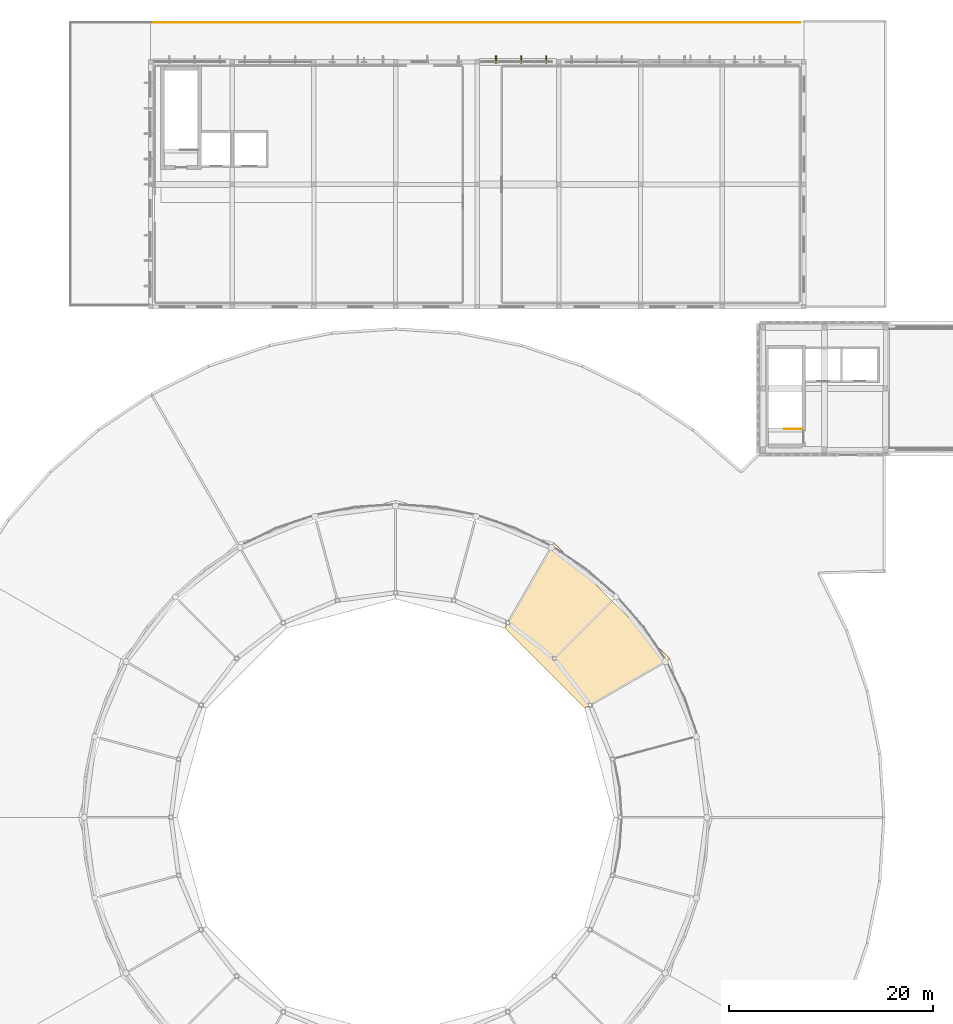
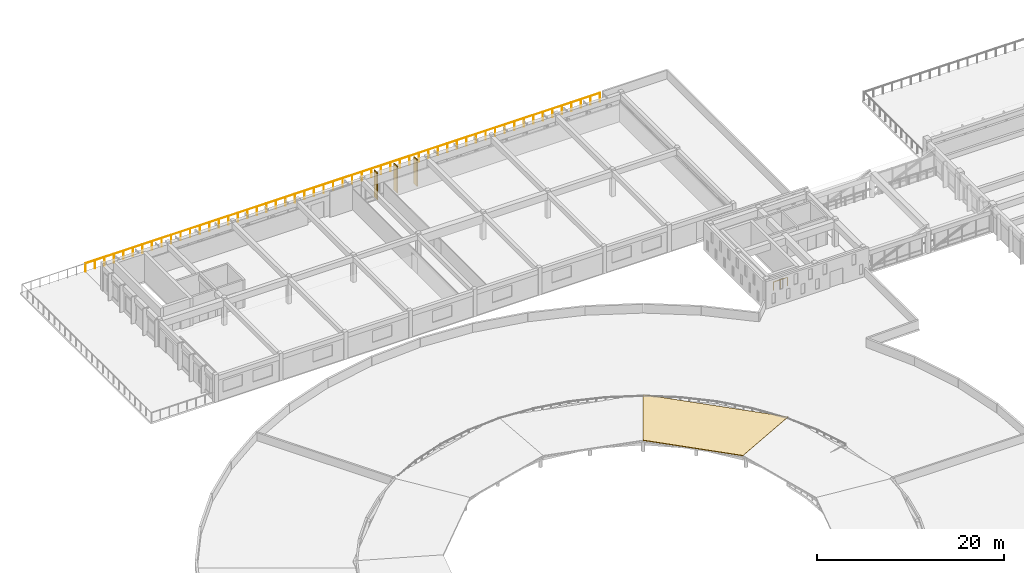
# One storey, part 69 of 77: 4 coverings, 2 railings.
"""IFC4 building model written with IfcOpenShell, lengths in metres."""

from ifc_helpers import new_model, si_unit, direction, frame, origin, origin_2d, place, context, subcontext, project, spatial, polyline, rectangle, circle, outline, extrude, material, layer, layer_set, type_object, element, save


model = new_model("IFC4")

# Units and contexts
model_context = context("Model", 3, precision=1e-05, world=origin(), true_north=direction((0.0, 1.0)))
body_context = subcontext(model_context, "Body", "Model", "MODEL_VIEW")
ifc_project = project(units=[si_unit("LENGTHUNIT", "METRE"), si_unit("AREAUNIT", "SQUARE_METRE"), si_unit("VOLUMEUNIT", "CUBIC_METRE"), si_unit("PLANEANGLEUNIT", "RADIAN"), si_unit("MASSUNIT", "GRAM", prefix="KILO")], contexts=[model_context])

# Site, building, storey
site_placement = place(None, origin())
site = spatial("IfcSite", under=ifc_project, at=site_placement, CompositionType="ELEMENT")
building_placement = place(site_placement, origin())
building = spatial("IfcBuilding", under=site, at=building_placement, Name="Larkveld Mobility Hub", CompositionType="ELEMENT")
storey_placement = place(building_placement, frame((0.0, 0.0, 12.0)))
storey = spatial("IfcBuildingStorey", under=building, at=storey_placement, Name="L03", CompositionType="ELEMENT", Elevation=12.0)

# Coverings
ifc_material_1 = material(Name="Precast concrete C50/60", Category="concrete")
ifc_layer_1 = layer(ifc_material_1, 0.1201171875, Name="Precast concrete C50/60", Category="concrete")
ifc_layer_set_1 = layer_set([ifc_layer_1], Name="Precast concrete C50/60")
covering_type_1 = type_object("IfcCoveringType", Name="COV-QSL-V01", PredefinedType="CLADDING", material=ifc_layer_set_1)
for number, where, z_axis, x_axis, name in (
    (1, (62.76708984375, 122.239990234375, -0.02001953125), (0.0, 0.0, 1.0), (-1.0, 0.0, 0.0), "Precast Quebra-Sol Vertical Fin QSV-169"),
    (2, (60.300048828125, 122.239990234375, -0.02001953125), (0.0, 0.0, 1.0), (-1.0, 0.0, 0.0), "Precast Quebra-Sol Vertical Fin QSV-170"),
    (3, (57.8330078125, 122.239990234375, -0.02001953125), (0.0, 0.0, 1.0), (-1.0, 0.0, 0.0), "Precast Quebra-Sol Vertical Fin QSV-171"),
):
    element("IfcCovering", number, at=place(storey_placement, frame(where, z_axis=z_axis, x_axis=x_axis)), inside=storey, type_object=covering_type_1, Name=name, PredefinedType="CLADDING", context=body_context, shape_type="SweptSolid", body=[
        extrude(rectangle(XDim=0.1201171875, YDim=0.719970703125, at=origin_2d()), origin(), (0.0, 0.0, 1.0), 3.52001953125),
    ])
ifc_material_2 = material(Name="Standing-seam zinc-alume roofing", Category="aluminium")
ifc_layer_2 = layer(ifc_material_2, 0.080078125, Name="Standing-seam zinc-alume roofing", Category="aluminium")
ifc_layer_set_2 = layer_set([ifc_layer_2], Name="Standing-seam zinc-alume roofing")
covering_type_2 = type_object("IfcCoveringType", Name="COV-RFG-01", PredefinedType="ROOFING", material=ifc_layer_set_2)
covering_placement = place(storey_placement, frame((74.889892578125, 63.52490234375, 1.031982421875), z_axis=(0.060470708845, 0.060470708845, 0.99633658306), x_axis=(-0.707106781187, 0.707106781187, 0.0)))
element("IfcCovering", 4, at=covering_placement, inside=storey, type_object=covering_type_2, Name="Central Drum Standing-Seam Canopy 1.2", PredefinedType="ROOFING", context=body_context, shape_type="SweptSolid", body=[
    extrude(outline(polyline([(0.0, 0.0), (16.072523325690906, 0.0), (13.575034604151409, 9.355272369872104), (2.497488721539498, 9.355272369872104), (0.0, 0.0)])), origin(), (0.0, 0.0, -1.0), 0.080078125),
])

# Railings
ifc_material_3 = material(Name="Galvanized Steel S355JR balustrade", Category="steel")
railing_type_1 = type_object("IfcRailingType", Name="RL-GRD-1100", PredefinedType="GUARDRAIL", material=ifc_material_3)
railing_1_placement = place(storey_placement, frame((87.800048828125, 86.050048828125, 0.0)))
element("IfcRailing", 5, at=railing_1_placement, inside=storey, type_object=railing_type_1, Name="L03 ST5 top well guard 1", PredefinedType="GUARDRAIL", context=body_context, shape_type="SweptSolid", body=[
    extrude(circle(Radius=0.02392578125, at=origin_2d()), frame((0.0, 0.0, 1.076171875), z_axis=(-1.0, 0.0, 0.0), x_axis=(0.0, -1.0, 0.0)), (0.0, 0.0, 1.0), 1.699951171875),
    extrude(circle(Radius=0.02099609375, at=origin_2d()), origin(), (0.0, 0.0, 1.0), 1.052001953125),
    extrude(circle(Radius=0.02099609375, at=origin_2d()), frame((-0.85009765625, 0.0, 0.0)), (0.0, 0.0, 1.0), 1.052001953125),
    extrude(circle(Radius=0.02099609375, at=origin_2d()), frame((-1.699951171875, 0.0, 0.0)), (0.0, 0.0, 1.0), 1.052001953125),
])
ifc_material_4 = material(Name="Anodized aluminium 6063-T6 balustrade", Category="aluminium")
railing_type_2 = type_object("IfcRailingType", Name="RL-GRD-1150", PredefinedType="GUARDRAIL", material=ifc_material_4)
railing_2_placement = place(storey_placement, frame((24.0, 125.840087890625, 0.0)))
element("IfcRailing", 6, at=railing_2_placement, inside=storey, type_object=railing_type_2, Name="Mobility Hall L03 North Viewing Terrace Guard L03-050", PredefinedType="GUARDRAIL", context=body_context, shape_type="SweptSolid", body=[
    extrude(circle(Radius=0.02392578125, at=origin_2d()), frame((0.0, 0.0, 1.1259765625), z_axis=(1.0, 0.0, 0.0), x_axis=(0.0, 1.0, 0.0)), (0.0, 0.0, 1.0), 63.6201171875),
    extrude(circle(Radius=0.02099609375, at=origin_2d()), origin(), (0.0, 0.0, 1.0), 1.101806640625),
    extrude(circle(Radius=0.02099609375, at=origin_2d()), frame((1.17822265625, 0.0, 0.0)), (0.0, 0.0, 1.0), 1.101806640625),
    extrude(circle(Radius=0.02099609375, at=origin_2d()), frame((2.356201171875, 0.0, 0.0)), (0.0, 0.0, 1.0), 1.101806640625),
    extrude(circle(Radius=0.02099609375, at=origin_2d()), frame((3.534423828125, 0.0, 0.0)), (0.0, 0.0, 1.0), 1.101806640625),
    extrude(circle(Radius=0.02099609375, at=origin_2d()), frame((4.712646484375, 0.0, 0.0)), (0.0, 0.0, 1.0), 1.101806640625),
    extrude(circle(Radius=0.02099609375, at=origin_2d()), frame((5.890869140625, 0.0, 0.0)), (0.0, 0.0, 1.0), 1.101806640625),
    extrude(circle(Radius=0.02099609375, at=origin_2d()), frame((7.06884765625, 0.0, 0.0)), (0.0, 0.0, 1.0), 1.101806640625),
    extrude(circle(Radius=0.02099609375, at=origin_2d()), frame((8.2470703125, 0.0, 0.0)), (0.0, 0.0, 1.0), 1.101806640625),
    extrude(circle(Radius=0.02099609375, at=origin_2d()), frame((9.42529296875, 0.0, 0.0)), (0.0, 0.0, 1.0), 1.101806640625),
    extrude(circle(Radius=0.02099609375, at=origin_2d()), frame((10.603271484375, 0.0, 0.0)), (0.0, 0.0, 1.0), 1.101806640625),
    extrude(circle(Radius=0.02099609375, at=origin_2d()), frame((11.781494140625, 0.0, 0.0)), (0.0, 0.0, 1.0), 1.101806640625),
    extrude(circle(Radius=0.02099609375, at=origin_2d()), frame((12.959716796875, 0.0, 0.0)), (0.0, 0.0, 1.0), 1.101806640625),
    extrude(circle(Radius=0.02099609375, at=origin_2d()), frame((14.1376953125, 0.0, 0.0)), (0.0, 0.0, 1.0), 1.101806640625),
    extrude(circle(Radius=0.02099609375, at=origin_2d()), frame((15.31591796875, 0.0, 0.0)), (0.0, 0.0, 1.0), 1.101806640625),
    extrude(circle(Radius=0.02099609375, at=origin_2d()), frame((16.494140625, 0.0, 0.0)), (0.0, 0.0, 1.0), 1.101806640625),
    extrude(circle(Radius=0.02099609375, at=origin_2d()), frame((17.67236328125, 0.0, 0.0)), (0.0, 0.0, 1.0), 1.101806640625),
    extrude(circle(Radius=0.02099609375, at=origin_2d()), frame((18.850341796875, 0.0, 0.0)), (0.0, 0.0, 1.0), 1.101806640625),
    extrude(circle(Radius=0.02099609375, at=origin_2d()), frame((20.028564453125, 0.0, 0.0)), (0.0, 0.0, 1.0), 1.101806640625),
    extrude(circle(Radius=0.02099609375, at=origin_2d()), frame((21.206787109375, 0.0, 0.0)), (0.0, 0.0, 1.0), 1.101806640625),
    extrude(circle(Radius=0.02099609375, at=origin_2d()), frame((22.384765625, 0.0, 0.0)), (0.0, 0.0, 1.0), 1.101806640625),
    extrude(circle(Radius=0.02099609375, at=origin_2d()), frame((23.56298828125, 0.0, 0.0)), (0.0, 0.0, 1.0), 1.101806640625),
    extrude(circle(Radius=0.02099609375, at=origin_2d()), frame((24.7412109375, 0.0, 0.0)), (0.0, 0.0, 1.0), 1.101806640625),
    extrude(circle(Radius=0.02099609375, at=origin_2d()), frame((25.919189453125, 0.0, 0.0)), (0.0, 0.0, 1.0), 1.101806640625),
    extrude(circle(Radius=0.02099609375, at=origin_2d()), frame((27.097412109375, 0.0, 0.0)), (0.0, 0.0, 1.0), 1.101806640625),
    extrude(circle(Radius=0.02099609375, at=origin_2d()), frame((28.275634765625, 0.0, 0.0)), (0.0, 0.0, 1.0), 1.101806640625),
    extrude(circle(Radius=0.02099609375, at=origin_2d()), frame((29.453857421875, 0.0, 0.0)), (0.0, 0.0, 1.0), 1.101806640625),
    extrude(circle(Radius=0.02099609375, at=origin_2d()), frame((30.6318359375, 0.0, 0.0)), (0.0, 0.0, 1.0), 1.101806640625),
    extrude(circle(Radius=0.02099609375, at=origin_2d()), frame((31.81005859375, 0.0, 0.0)), (0.0, 0.0, 1.0), 1.101806640625),
    extrude(circle(Radius=0.02099609375, at=origin_2d()), frame((32.98828125, 0.0, 0.0)), (0.0, 0.0, 1.0), 1.101806640625),
    extrude(circle(Radius=0.02099609375, at=origin_2d()), frame((34.166259765625, 0.0, 0.0)), (0.0, 0.0, 1.0), 1.101806640625),
    extrude(circle(Radius=0.02099609375, at=origin_2d()), frame((35.344482421875, 0.0, 0.0)), (0.0, 0.0, 1.0), 1.101806640625),
    extrude(circle(Radius=0.02099609375, at=origin_2d()), frame((36.522705078125, 0.0, 0.0)), (0.0, 0.0, 1.0), 1.101806640625),
    extrude(circle(Radius=0.02099609375, at=origin_2d()), frame((37.700927734375, 0.0, 0.0)), (0.0, 0.0, 1.0), 1.101806640625),
    extrude(circle(Radius=0.02099609375, at=origin_2d()), frame((38.87890625, 0.0, 0.0)), (0.0, 0.0, 1.0), 1.101806640625),
    extrude(circle(Radius=0.02099609375, at=origin_2d()), frame((40.05712890625, 0.0, 0.0)), (0.0, 0.0, 1.0), 1.101806640625),
    extrude(circle(Radius=0.02099609375, at=origin_2d()), frame((41.2353515625, 0.0, 0.0)), (0.0, 0.0, 1.0), 1.101806640625),
    extrude(circle(Radius=0.02099609375, at=origin_2d()), frame((42.413330078125, 0.0, 0.0)), (0.0, 0.0, 1.0), 1.101806640625),
    extrude(circle(Radius=0.02099609375, at=origin_2d()), frame((43.591552734375, 0.0, 0.0)), (0.0, 0.0, 1.0), 1.101806640625),
    extrude(circle(Radius=0.02099609375, at=origin_2d()), frame((44.769775390625, 0.0, 0.0)), (0.0, 0.0, 1.0), 1.101806640625),
    extrude(circle(Radius=0.02099609375, at=origin_2d()), frame((45.94775390625, 0.0, 0.0)), (0.0, 0.0, 1.0), 1.101806640625),
    extrude(circle(Radius=0.02099609375, at=origin_2d()), frame((47.1259765625, 0.0, 0.0)), (0.0, 0.0, 1.0), 1.101806640625),
    extrude(circle(Radius=0.02099609375, at=origin_2d()), frame((48.30419921875, 0.0, 0.0)), (0.0, 0.0, 1.0), 1.101806640625),
    extrude(circle(Radius=0.02099609375, at=origin_2d()), frame((49.482421875, 0.0, 0.0)), (0.0, 0.0, 1.0), 1.101806640625),
    extrude(circle(Radius=0.02099609375, at=origin_2d()), frame((50.660400390625, 0.0, 0.0)), (0.0, 0.0, 1.0), 1.101806640625),
    extrude(circle(Radius=0.02099609375, at=origin_2d()), frame((51.838623046875, 0.0, 0.0)), (0.0, 0.0, 1.0), 1.101806640625),
    extrude(circle(Radius=0.02099609375, at=origin_2d()), frame((53.016845703125, 0.0, 0.0)), (0.0, 0.0, 1.0), 1.101806640625),
    extrude(circle(Radius=0.02099609375, at=origin_2d()), frame((54.19482421875, 0.0, 0.0)), (0.0, 0.0, 1.0), 1.101806640625),
    extrude(circle(Radius=0.02099609375, at=origin_2d()), frame((55.373046875, 0.0, 0.0)), (0.0, 0.0, 1.0), 1.101806640625),
    extrude(circle(Radius=0.02099609375, at=origin_2d()), frame((56.55126953125, 0.0, 0.0)), (0.0, 0.0, 1.0), 1.101806640625),
    extrude(circle(Radius=0.02099609375, at=origin_2d()), frame((57.729248046875, 0.0, 0.0)), (0.0, 0.0, 1.0), 1.101806640625),
    extrude(circle(Radius=0.02099609375, at=origin_2d()), frame((58.907470703125, 0.0, 0.0)), (0.0, 0.0, 1.0), 1.101806640625),
    extrude(circle(Radius=0.02099609375, at=origin_2d()), frame((60.085693359375, 0.0, 0.0)), (0.0, 0.0, 1.0), 1.101806640625),
    extrude(circle(Radius=0.02099609375, at=origin_2d()), frame((61.263916015625, 0.0, 0.0)), (0.0, 0.0, 1.0), 1.101806640625),
    extrude(circle(Radius=0.02099609375, at=origin_2d()), frame((62.44189453125, 0.0, 0.0)), (0.0, 0.0, 1.0), 1.101806640625),
    extrude(circle(Radius=0.02099609375, at=origin_2d()), frame((63.6201171875, 0.0, 0.0)), (0.0, 0.0, 1.0), 1.101806640625),
])

save(model, "model.ifc")
